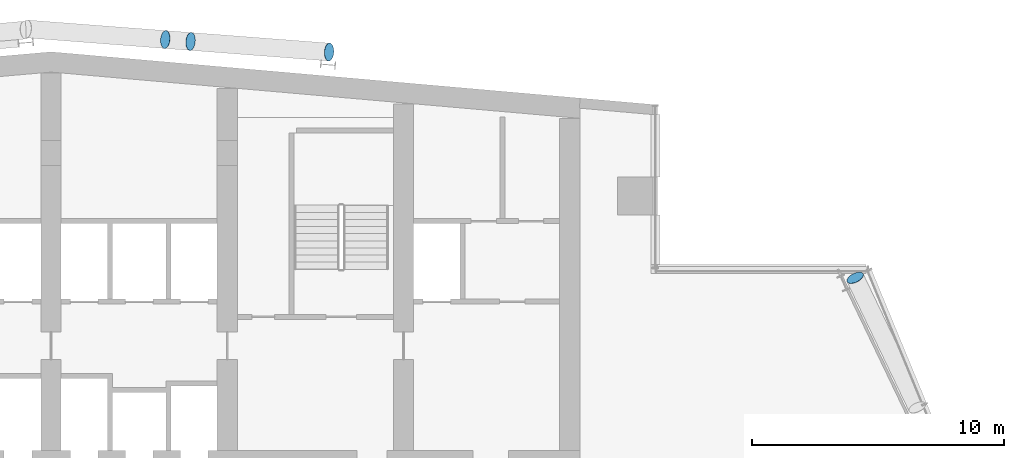
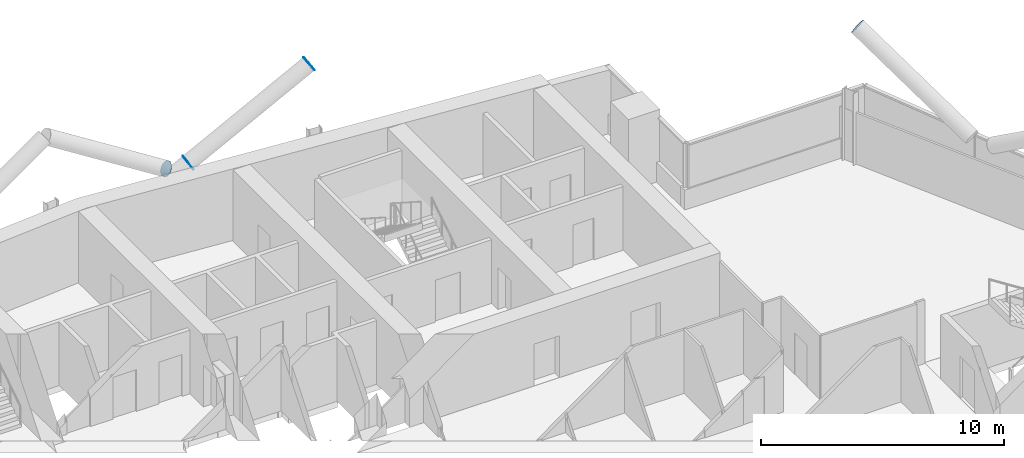
# One storey, part 23 of 27: 4 discrete accessories.
"""IFC4 building model written with IfcOpenShell, lengths in metres."""

from ifc_helpers import new_model, si_unit, direction, frame, origin, origin_2d, place, context, subcontext, project, spatial, circle, extrude, material, material_profile, profile_set, type_object, element, save


model = new_model("IFC4")

# Units and contexts
model_context = context("Model", 3, precision=1e-05, world=origin(), true_north=direction((0.0, 1.0)))
body_context = subcontext(model_context, "Body", "Model", "MODEL_VIEW")
ifc_project = project(units=[si_unit("LENGTHUNIT", "METRE"), si_unit("AREAUNIT", "SQUARE_METRE"), si_unit("VOLUMEUNIT", "CUBIC_METRE"), si_unit("PLANEANGLEUNIT", "RADIAN"), si_unit("MASSUNIT", "GRAM", prefix="KILO")], contexts=[model_context])

# Site, building, storey
site_placement = place(None, origin())
site = spatial("IfcSite", under=ifc_project, at=site_placement, CompositionType="ELEMENT")
building_placement = place(site_placement, origin())
building = spatial("IfcBuilding", under=site, at=building_placement, Name="Wharfspan Tower", CompositionType="ELEMENT")
storey_placement = place(building_placement, frame((0.0, 0.0, 159.100098)))
storey = spatial("IfcBuildingStorey", under=building, at=storey_placement, Name="L38", CompositionType="ELEMENT", Elevation=159.100098)

# Discrete accessories
ifc_material = material(Name="Steel S460NH", Category="steel")
ifc_material_profile = material_profile(ifc_material, circle(Radius=0.355469, at=origin_2d()))
ifc_profile_set = profile_set([ifc_material_profile], Name="Steel S460NH")
discrete_accessory_type = type_object("IfcDiscreteAccessoryType", Name="End plate CHS 711x36", PredefinedType="BRACKET", material=ifc_profile_set)
for number, where, z_axis, x_axis, name in (
    (1, (68.938721, 41.643066, 6.5), (-0.39036, 0.78072, 0.48795), (-0.894428, -0.447214, 0.0), "End plate CHS 711x36"),
    (2, (42.534668, 51.038086, 3.197754), (0.855186, -0.073302, 0.513112), (0.085402, 0.996345, -1e-06), "End plate CHS 711x36"),
    (3, (48.036865, 50.617676, 6.5), (0.856465, -0.048941, 0.513879), (0.05705, 0.998372, 0.0), "End plate CHS 711x36"),
    (4, (41.541992, 51.11377, 3.197754), (-0.855186, 0.073302, 0.513112), (-0.085402, -0.996345, -1e-06), "End plate CHS 711x36"),
):
    element("IfcDiscreteAccessory", number, at=place(storey_placement, frame(where, z_axis=z_axis, x_axis=x_axis)), inside=storey, type_object=discrete_accessory_type, Name=name, PredefinedType="BRACKET", context=body_context, shape_type="SweptSolid", body=[
        extrude(circle(Radius=0.355469, at=origin_2d()), origin(), (0.0, 0.0, 1.0), 0.01001),
    ])

save(model, "model.ifc")
